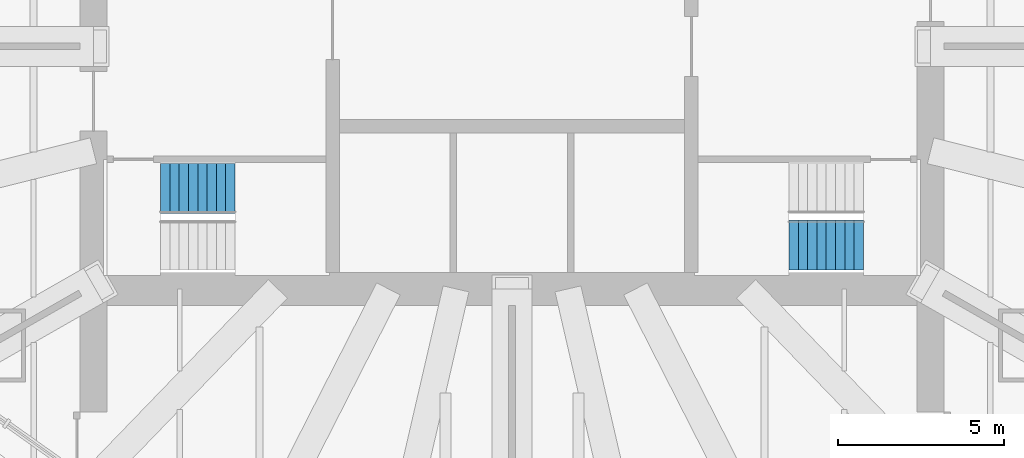
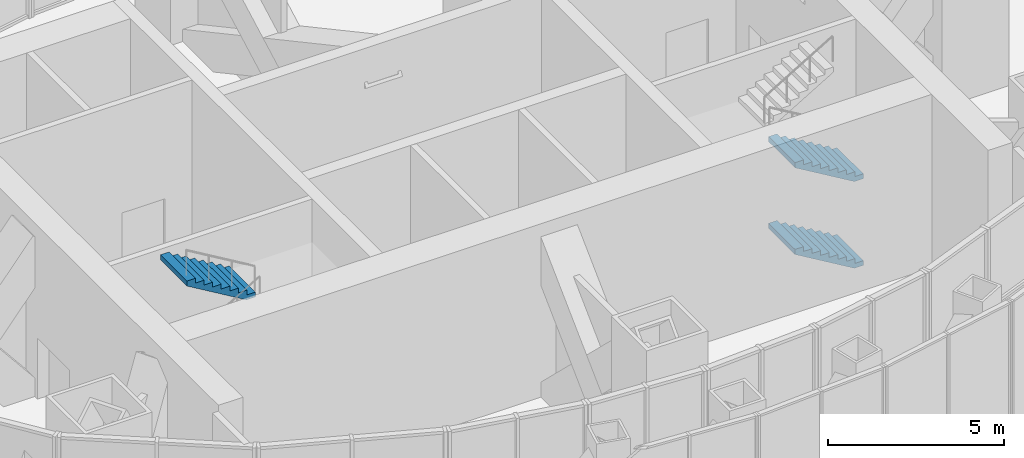
# One storey, part 19 of 21: 3 stair flights, 2 elements without a shape of their own.
"""IFC4 building model written with IfcOpenShell, lengths in metres."""

import ifcopenshell
import ifcopenshell.guid

model = None  # the IFC model being written
_history = None  # IfcOwnerHistory: only IFC2X3 demands one
_inside = {}  # id of a spatial element -> (the spatial element, [elements in it])
_under = {}  # id of a project, library or spatial element -> (it, [spatial elements below it])
_declared = {}  # id of a project -> (the project, [libraries it declares])
_typed = {}  # id of a type object -> (the type object, [elements of that type])
_made_of = {}  # id of a material, layer set ... -> (it, [elements and type objects made of it])


def new_model(schema):
    """Start an empty IFC model of exactly this schema.

    Asked for "IFC4X3", IfcOpenShell would pick the latest addendum, in which some entities
    have other attributes; the version numbers below select the first issue.
    IFC2X3 requires an IfcOwnerHistory on every rooted entity: one is made here for all.
    """
    global model, _history
    if schema == "IFC4X3":
        model = ifcopenshell.file(schema_version=(4, 3, 0, 0))
    else:
        model = ifcopenshell.file(schema=schema)
    _inside.clear()
    _under.clear()
    _declared.clear()
    _typed.clear()
    _made_of.clear()
    _history = None
    if model.schema == "IFC2X3":
        org = make("IfcOrganization", Name="unknown")
        user = make(
            "IfcPersonAndOrganization",
            ThePerson=make("IfcPerson", FamilyName="unknown"),
            TheOrganization=org,
        )
        app = make(
            "IfcApplication",
            ApplicationDeveloper=org,
            Version="unknown",
            ApplicationFullName="unknown",
            ApplicationIdentifier="unknown",
        )
        _history = make(
            "IfcOwnerHistory",
            OwningUser=user,
            OwningApplication=app,
            ChangeAction="ADDED",
            CreationDate=0,
        )
    return model


def make(cls, **values):
    """One entity of the class cls with the attributes given. An attribute that is None is left unset."""
    return model.create_entity(
        cls, **{name: value for name, value in values.items() if value is not None}
    )


def rooted(cls, **values):
    """An entity with a GlobalId (a new one), such as an element, a storey or a relation."""
    return make(cls, GlobalId=ifcopenshell.guid.new(), OwnerHistory=_history, **values)


def si_unit(unit_type, name, prefix=None):
    """IfcSIUnit, for example si_unit("LENGTHUNIT", "METRE", prefix="MILLI")."""
    return make("IfcSIUnit", UnitType=unit_type, Prefix=prefix, Name=name)


def assignment(units):
    """IfcUnitAssignment: the units of a project."""
    return None if units is None else make("IfcUnitAssignment", Units=units)


def point(xyz):
    """IfcCartesianPoint."""
    return None if xyz is None else make("IfcCartesianPoint", Coordinates=xyz)


def direction(xyz):
    """IfcDirection."""
    return None if xyz is None else make("IfcDirection", DirectionRatios=xyz)


def frame(location, z_axis=None, x_axis=None):
    """IfcAxis2Placement3D, a coordinate frame: its origin and axes. An axis left out is left unset."""
    return make(
        "IfcAxis2Placement3D",
        Location=point(location),
        Axis=direction(z_axis),
        RefDirection=direction(x_axis),
    )


def origin():
    """The frame at (0, 0, 0) with its axes left unset."""
    return frame((0.0, 0.0, 0.0))


def place(relative_to, where):
    """IfcLocalPlacement: puts the frame where relative to a parent placement (None: the world)."""
    return make(
        "IfcLocalPlacement", PlacementRelTo=relative_to, RelativePlacement=where
    )


def context(
    kind, dimensions, precision=None, world=None, true_north=None, identifier=None
):
    """IfcGeometricRepresentationContext, for example the 3D "Model" context."""
    return make(
        "IfcGeometricRepresentationContext",
        ContextIdentifier=identifier,
        ContextType=kind,
        CoordinateSpaceDimension=dimensions,
        Precision=precision,
        WorldCoordinateSystem=world,
        TrueNorth=true_north,
    )


def subcontext(parent, identifier, kind, view, scale=None):
    """IfcGeometricRepresentationSubContext, for example "Body" below "Model"."""
    return make(
        "IfcGeometricRepresentationSubContext",
        ContextIdentifier=identifier,
        ContextType=kind,
        ParentContext=parent,
        TargetScale=scale,
        TargetView=view,
    )


def project(units=None, contexts=None):
    """IfcProject with its units and contexts."""
    return rooted(
        "IfcProject",
        Name="project",
        RepresentationContexts=contexts,
        UnitsInContext=assignment(units),
    )


def spatial(cls, under=None, at=None, **own):
    """A site, building, storey or space (cls), placed at a placement, below another one or the project."""
    s = rooted(cls, ObjectPlacement=at, **own)
    if under is not None:
        _under.setdefault(under.id(), (under, []))[1].append(s)
    return s


def point_list(points):
    """IfcCartesianPointList2D or 3D."""
    cls = (
        "IfcCartesianPointList2D" if len(points[0]) == 2 else "IfcCartesianPointList3D"
    )
    return make(cls, CoordList=points)


def triangles(points, corners, closed=None, point_numbers=None):
    """IfcTriangulatedFaceSet: each triangle names its three corners, points numbered from 1."""
    return make(
        "IfcTriangulatedFaceSet",
        Coordinates=point_list(points),
        Closed=closed,
        CoordIndex=corners,
        PnIndex=point_numbers,
    )


def shape(context_of_items, identifier, shape_type, items):
    """IfcShapeRepresentation: the items that make up one representation, for example the "Body"."""
    return make(
        "IfcShapeRepresentation",
        ContextOfItems=context_of_items,
        RepresentationIdentifier=identifier,
        RepresentationType=shape_type,
        Items=items,
    )


def material(Name=None, Category=None):
    """IfcMaterial."""
    return make("IfcMaterial", Name=Name, Category=Category)


def made_of(thing, what):
    """Note that an element or type object is made of a material, layer set ...; save() writes the relation."""
    if what is not None:
        _made_of.setdefault(what.id(), (what, []))[1].append(thing)
    return thing


def type_object(cls, material=None, **own):
    """A type object (cls), such as IfcWallType, which elements share."""
    return made_of(rooted(cls, **own), material)


def element(
    cls,
    number,
    at=None,
    inside=None,
    cuts=None,
    type_object=None,
    material=None,
    context=None,
    identifier="Body",
    shape_type=None,
    held_by="IfcProductDefinitionShape",
    body=None,
    shapes=None,
    **own,
):
    """One element of the class cls, such as IfcWall. Its Tag is "e" and its number.

    at: its placement. inside: the storey or other place that contains it. cuts: it is an
    opening in that element (IfcRelVoidsElement). A single representation is given by context,
    identifier, shape_type and body (its items); several are given by shapes. held_by: the class
    of the entity that holds the representations. save() writes the other relations.
    """
    e = rooted(cls, Tag="e%d" % number, ObjectPlacement=at, **own)
    if body is not None:
        shapes = [shape(context, identifier, shape_type, body)]
    if shapes is not None:
        e.Representation = make(held_by, Representations=shapes)
    if inside is not None:
        _inside.setdefault(inside.id(), (inside, []))[1].append(e)
    if cuts is not None:
        rooted(
            "IfcRelVoidsElement", RelatingBuildingElement=cuts, RelatedOpeningElement=e
        )
    if type_object is not None:
        _typed.setdefault(type_object.id(), (type_object, []))[1].append(e)
    return made_of(e, material)


def aggregate(whole, parts):
    """IfcRelAggregates: a whole, such as a stair, and the parts it consists of."""
    return rooted("IfcRelAggregates", RelatingObject=whole, RelatedObjects=parts)


def save(model, path):
    """Write the relations noted so far, then the file.

    IfcRelAggregates (storeys below a building ...), IfcRelContainedInSpatialStructure (elements
    in a storey), IfcRelDefinesByType, IfcRelAssociatesMaterial and IfcRelDeclares: one each for
    every whole, place, type object, material and project.
    """
    for whole, parts in _under.values():
        aggregate(whole, parts)
    for where, things in _inside.values():
        rooted(
            "IfcRelContainedInSpatialStructure",
            RelatedElements=things,
            RelatingStructure=where,
        )
    for kind, things in _typed.values():
        rooted("IfcRelDefinesByType", RelatedObjects=things, RelatingType=kind)
    for what, things in _made_of.values():
        rooted("IfcRelAssociatesMaterial", RelatedObjects=things, RelatingMaterial=what)
    for by, libraries in _declared.values():
        rooted("IfcRelDeclares", RelatingContext=by, RelatedDefinitions=libraries)
    model.write(path)


model = new_model("IFC4")

# Units and contexts
model_context = context("Model", 3, precision=1e-05, world=origin(), true_north=direction((0.0, 1.0)))
body_context = subcontext(model_context, "Body", "Model", "MODEL_VIEW")
ifc_project = project(units=[si_unit("LENGTHUNIT", "METRE"), si_unit("AREAUNIT", "SQUARE_METRE"), si_unit("VOLUMEUNIT", "CUBIC_METRE"), si_unit("PLANEANGLEUNIT", "RADIAN"), si_unit("MASSUNIT", "GRAM", prefix="KILO")], contexts=[model_context])

# Site, building, storey
site_placement = place(None, origin())
site = spatial("IfcSite", under=ifc_project, at=site_placement, CompositionType="ELEMENT")
building_placement = place(site_placement, origin())
building = spatial("IfcBuilding", under=site, at=building_placement, Name="Lantaw Convention Tower", CompositionType="ELEMENT")
storey_placement = place(building_placement, frame((0.0, 0.0, 284.39990234375)))
storey = spatial("IfcBuildingStorey", under=building, at=storey_placement, Name="L66", CompositionType="ELEMENT", Elevation=284.39990234375)

# Stair, stair flight
ifc_material = material(Name="Concrete C35/45", Category="concrete")
stair_type = type_object("IfcStairType", Name="Exit stair 1500 riser 166.67 in 4 flights", PredefinedType="HALF_TURN_STAIR", material=ifc_material)
stair_1_placement = place(storey_placement, origin())
stair_1 = element("IfcStair", 1, at=stair_1_placement, inside=storey, type_object=stair_type, Name="Exit stair S1 L66", PredefinedType="HALF_TURN_STAIR")
stair_flight_type = type_object("IfcStairFlightType", Name="Stair flight 1500 riser 166.67", PredefinedType="STRAIGHT", material=ifc_material)
stair_flight_1_placement = place(storey_placement, frame((-8.340087890625, -4.280029296875, 4.5), z_axis=(0.0, 0.0, 1.0), x_axis=(-1.0, 0.0, 0.0)))
stair_flight_1 = element("IfcStairFlight", 2, at=stair_flight_1_placement, type_object=stair_flight_type, Name="S1 flight 4", NumberOfRisers=9, NumberOfTreads=8, PredefinedType="STRAIGHT", RiserHeight=0.166666667, TreadLength=0.28, context=body_context, shape_type="Tessellation", body=[
    triangles([(0.0, 0.75, 0.0), (0.0, 0.75, 0.166666667), (0.28, 0.75, 0.0), (0.28, 0.75, 0.166666667), (0.28, 0.75, 0.333333334), (0.2930734580690677, 0.75, 0.0), (0.2930734580690677, 0.75, 0.333333334), (0.56, 0.75, 0.1588848467052294), (0.56, 0.75, 0.333333334), (0.56, 0.75, 0.500000001), (0.8400000000000001, 0.75, 0.32555151370522933), (0.8400000000000001, 0.75, 0.500000001), (0.8400000000000001, 0.75, 0.666666668), (1.12, 0.75, 0.4922181807052293), (1.12, 0.75, 0.666666668), (1.12, 0.75, 0.833333335), (1.4000000000000001, 0.75, 0.6588848477052293), (1.4000000000000001, 0.75, 0.833333335), (1.4000000000000001, 0.75, 1.000000002), (1.6800000000000002, 0.75, 0.8255515147052293), (1.6800000000000002, 0.75, 1.000000002), (1.6800000000000002, 0.75, 1.166666669), (1.9600000000000002, 0.75, 0.9922181817052292), (1.9600000000000002, 0.75, 1.166666669), (1.9600000000000002, 0.75, 1.333333336), (2.24, 0.75, 1.1588848487052292), (2.24, 0.75, 1.333333336), (0.0, -0.75, 0.0), (0.0, -0.75, 0.166666667), (0.28, -0.75, 0.0), (0.28, -0.75, 0.166666667), (0.28, -0.75, 0.333333334), (0.2930734580690677, -0.75, 0.0), (0.2930734580690677, -0.75, 0.333333334), (0.56, -0.75, 0.1588848467052294), (0.56, -0.75, 0.333333334), (0.56, -0.75, 0.500000001), (0.8400000000000001, -0.75, 0.32555151370522933), (0.8400000000000001, -0.75, 0.500000001), (0.8400000000000001, -0.75, 0.666666668), (1.12, -0.75, 0.4922181807052293), (1.12, -0.75, 0.666666668), (1.12, -0.75, 0.833333335), (1.4000000000000001, -0.75, 0.6588848477052293), (1.4000000000000001, -0.75, 0.833333335), (1.4000000000000001, -0.75, 1.000000002), (1.6800000000000002, -0.75, 0.8255515147052293), (1.6800000000000002, -0.75, 1.000000002), (1.6800000000000002, -0.75, 1.166666669), (1.9600000000000002, -0.75, 0.9922181817052292), (1.9600000000000002, -0.75, 1.166666669), (1.9600000000000002, -0.75, 1.333333336), (2.24, -0.75, 1.1588848487052292), (2.24, -0.75, 1.333333336), (0.0, 0.15000000000000002, 0.166666667), (0.0, 0.15000000000000002, 0.0), (0.0, 0.0, 0.166666667), (0.0, 0.0, 0.0), (0.0, -0.15000000000000002, 0.166666667), (0.0, -0.15000000000000002, 0.0), (0.28, 0.15000000000000002, 0.333333334), (0.28, 0.15000000000000002, 0.166666667), (0.28, 0.0, 0.333333334), (0.28, 0.0, 0.166666667), (0.28, -0.15000000000000002, 0.333333334), (0.28, -0.15000000000000002, 0.166666667), (0.56, 0.15000000000000002, 0.500000001), (0.56, 0.15000000000000002, 0.333333334), (0.56, 0.0, 0.500000001), (0.56, 0.0, 0.333333334), (0.56, -0.15000000000000002, 0.500000001), (0.56, -0.15000000000000002, 0.333333334), (0.8400000000000001, 0.15000000000000002, 0.666666668), (0.8400000000000001, 0.15000000000000002, 0.500000001), (0.8400000000000001, 0.0, 0.666666668), (0.8400000000000001, 0.0, 0.500000001), (0.8400000000000001, -0.15000000000000002, 0.666666668), (0.8400000000000001, -0.15000000000000002, 0.500000001), (1.12, 0.15000000000000002, 0.833333335), (1.12, 0.15000000000000002, 0.666666668), (1.12, 0.0, 0.833333335), (1.12, 0.0, 0.666666668), (1.12, -0.15000000000000002, 0.833333335), (1.12, -0.15000000000000002, 0.666666668), (1.4000000000000001, 0.15000000000000002, 1.000000002), (1.4000000000000001, 0.15000000000000002, 0.833333335), (1.4000000000000001, 0.0, 1.000000002), (1.4000000000000001, 0.0, 0.833333335), (1.4000000000000001, -0.15000000000000002, 1.000000002), (1.4000000000000001, -0.15000000000000002, 0.833333335), (1.6800000000000002, 0.15000000000000002, 1.166666669), (1.6800000000000002, 0.15000000000000002, 1.000000002), (1.6800000000000002, 0.0, 1.166666669), (1.6800000000000002, 0.0, 1.000000002), (1.6800000000000002, -0.15000000000000002, 1.166666669), (1.6800000000000002, -0.15000000000000002, 1.000000002), (1.9600000000000002, 0.15000000000000002, 1.333333336), (1.9600000000000002, 0.15000000000000002, 1.166666669), (1.9600000000000002, 0.0, 1.333333336), (1.9600000000000002, 0.0, 1.166666669), (1.9600000000000002, -0.15000000000000002, 1.333333336), (1.9600000000000002, -0.15000000000000002, 1.166666669), (0.2930734580690677, 0.15000000000000002, 0.333333334), (0.2930734580690677, 0.0, 0.333333334), (0.2930734580690677, -0.15000000000000002, 0.333333334), (2.24, 0.15000000000000002, 1.333333336), (2.24, 0.0, 1.333333336), (2.24, -0.15000000000000002, 1.333333336), (2.24, 0.15000000000000002, 1.1588848487052292), (2.24, 0.0, 1.1588848487052292), (2.24, -0.15000000000000002, 1.1588848487052292), (1.9600000000000002, 0.15000000000000002, 0.9922181817052292), (1.9600000000000002, 0.0, 0.9922181817052292), (1.9600000000000002, -0.15000000000000002, 0.9922181817052292), (1.6800000000000002, 0.15000000000000002, 0.8255515147052293), (1.6800000000000002, 0.0, 0.8255515147052293), (1.6800000000000002, -0.15000000000000002, 0.8255515147052293), (1.4000000000000001, 0.15000000000000002, 0.6588848477052293), (1.4000000000000001, 0.0, 0.6588848477052293), (1.4000000000000001, -0.15000000000000002, 0.6588848477052293), (1.12, 0.15000000000000002, 0.4922181807052293), (1.12, 0.0, 0.4922181807052293), (1.12, -0.15000000000000002, 0.4922181807052293), (0.8400000000000001, 0.15000000000000002, 0.32555151370522933), (0.8400000000000001, 0.0, 0.32555151370522933), (0.8400000000000001, -0.15000000000000002, 0.32555151370522933), (0.56, 0.15000000000000002, 0.1588848467052294), (0.56, 0.0, 0.1588848467052294), (0.56, -0.15000000000000002, 0.1588848467052294), (0.2930734580690677, 0.15000000000000002, 0.0), (0.2930734580690677, 0.0, 0.0), (0.2930734580690677, -0.15000000000000002, 0.0), (0.28, 0.15000000000000002, 0.0), (0.28, 0.0, 0.0), (0.28, -0.15000000000000002, 0.0)], [[1, 4, 3], [1, 2, 4], [3, 4, 6], [4, 7, 6], [4, 5, 7], [6, 9, 8], [6, 7, 9], [8, 9, 11], [9, 12, 11], [9, 10, 12], [11, 12, 14], [12, 15, 14], [12, 13, 15], [14, 15, 17], [15, 18, 17], [15, 16, 18], [17, 18, 20], [18, 21, 20], [18, 19, 21], [20, 21, 23], [21, 24, 23], [21, 22, 24], [23, 24, 26], [24, 27, 26], [24, 25, 27], [28, 30, 31], [28, 31, 29], [30, 33, 31], [31, 33, 34], [31, 34, 32], [33, 35, 36], [33, 36, 34], [35, 38, 36], [36, 38, 39], [36, 39, 37], [38, 41, 39], [39, 41, 42], [39, 42, 40], [41, 44, 42], [42, 44, 45], [42, 45, 43], [44, 47, 45], [45, 47, 48], [45, 48, 46], [47, 50, 48], [48, 50, 51], [48, 51, 49], [50, 53, 51], [51, 53, 54], [51, 54, 52], [1, 55, 2], [1, 56, 55], [56, 57, 55], [56, 58, 57], [58, 59, 57], [58, 60, 59], [60, 29, 59], [60, 28, 29], [4, 61, 5], [4, 62, 61], [62, 63, 61], [62, 64, 63], [64, 65, 63], [64, 66, 65], [66, 32, 65], [66, 31, 32], [9, 67, 10], [9, 68, 67], [68, 69, 67], [68, 70, 69], [70, 71, 69], [70, 72, 71], [72, 37, 71], [72, 36, 37], [12, 73, 13], [12, 74, 73], [74, 75, 73], [74, 76, 75], [76, 77, 75], [76, 78, 77], [78, 40, 77], [78, 39, 40], [15, 79, 16], [15, 80, 79], [80, 81, 79], [80, 82, 81], [82, 83, 81], [82, 84, 83], [84, 43, 83], [84, 42, 43], [18, 85, 19], [18, 86, 85], [86, 87, 85], [86, 88, 87], [88, 89, 87], [88, 90, 89], [90, 46, 89], [90, 45, 46], [21, 91, 22], [21, 92, 91], [92, 93, 91], [92, 94, 93], [94, 95, 93], [94, 96, 95], [96, 49, 95], [96, 48, 49], [24, 97, 25], [24, 98, 97], [98, 99, 97], [98, 100, 99], [100, 101, 99], [100, 102, 101], [102, 52, 101], [102, 51, 52], [2, 62, 4], [2, 55, 62], [55, 64, 62], [55, 57, 64], [57, 66, 64], [57, 59, 66], [59, 31, 66], [59, 29, 31], [5, 103, 7], [5, 61, 103], [61, 104, 103], [61, 63, 104], [63, 105, 104], [63, 65, 105], [65, 34, 105], [65, 32, 34], [7, 68, 9], [7, 103, 68], [103, 70, 68], [103, 104, 70], [104, 72, 70], [104, 105, 72], [105, 36, 72], [105, 34, 36], [10, 74, 12], [10, 67, 74], [67, 76, 74], [67, 69, 76], [69, 78, 76], [69, 71, 78], [71, 39, 78], [71, 37, 39], [13, 80, 15], [13, 73, 80], [73, 82, 80], [73, 75, 82], [75, 84, 82], [75, 77, 84], [77, 42, 84], [77, 40, 42], [16, 86, 18], [16, 79, 86], [79, 88, 86], [79, 81, 88], [81, 90, 88], [81, 83, 90], [83, 45, 90], [83, 43, 45], [19, 92, 21], [19, 85, 92], [85, 94, 92], [85, 87, 94], [87, 96, 94], [87, 89, 96], [89, 48, 96], [89, 46, 48], [22, 98, 24], [22, 91, 98], [91, 100, 98], [91, 93, 100], [93, 102, 100], [93, 95, 102], [95, 51, 102], [95, 49, 51], [25, 106, 27], [25, 97, 106], [97, 107, 106], [97, 99, 107], [99, 108, 107], [99, 101, 108], [101, 54, 108], [101, 52, 54], [27, 109, 26], [27, 106, 109], [106, 110, 109], [106, 107, 110], [107, 111, 110], [107, 108, 111], [108, 53, 111], [108, 54, 53], [26, 112, 23], [26, 109, 112], [109, 113, 112], [109, 110, 113], [110, 114, 113], [110, 111, 114], [111, 50, 114], [111, 53, 50], [23, 115, 20], [23, 112, 115], [112, 116, 115], [112, 113, 116], [113, 117, 116], [113, 114, 117], [114, 47, 117], [114, 50, 47], [20, 118, 17], [20, 115, 118], [115, 119, 118], [115, 116, 119], [116, 120, 119], [116, 117, 120], [117, 44, 120], [117, 47, 44], [17, 121, 14], [17, 118, 121], [118, 122, 121], [118, 119, 122], [119, 123, 122], [119, 120, 123], [120, 41, 123], [120, 44, 41], [14, 124, 11], [14, 121, 124], [121, 125, 124], [121, 122, 125], [122, 126, 125], [122, 123, 126], [123, 38, 126], [123, 41, 38], [11, 127, 8], [11, 124, 127], [124, 128, 127], [124, 125, 128], [125, 129, 128], [125, 126, 129], [126, 35, 129], [126, 38, 35], [8, 130, 6], [8, 127, 130], [127, 131, 130], [127, 128, 131], [128, 132, 131], [128, 129, 132], [129, 33, 132], [129, 35, 33], [6, 133, 3], [6, 130, 133], [130, 134, 133], [130, 131, 134], [131, 135, 134], [131, 132, 135], [132, 30, 135], [132, 33, 30], [3, 56, 1], [3, 133, 56], [133, 58, 56], [133, 134, 58], [134, 60, 58], [134, 135, 60], [135, 28, 60], [135, 30, 28]], closed=True),
])
aggregate(stair_1, [stair_flight_1])

# Stair, stair flights
stair_2_placement = place(storey_placement, origin())
stair_2 = element("IfcStair", 3, at=stair_2_placement, inside=storey, type_object=stair_type, Name="Exit stair S2 L66", PredefinedType="HALF_TURN_STAIR")
stair_flight_2_placement = place(storey_placement, frame((10.580078125, -5.97998046875, 0.0), z_axis=(0.0, 0.0, 1.0), x_axis=(-1.0, 0.0, 0.0)))
stair_flight_2 = element("IfcStairFlight", 4, at=stair_flight_2_placement, type_object=stair_flight_type, Name="S2 flight 1", NumberOfRisers=9, NumberOfTreads=8, PredefinedType="STRAIGHT", RiserHeight=0.166666667, TreadLength=0.28, context=body_context, shape_type="Tessellation", body=[
    triangles([(0.0, 0.75, 0.0), (0.0, 0.75, 0.166666667), (0.28, 0.75, 0.0), (0.28, 0.75, 0.166666667), (0.28, 0.75, 0.333333334), (0.2930734580690677, 0.75, 0.0), (0.2930734580690677, 0.75, 0.333333334), (0.56, 0.75, 0.1588848467052294), (0.56, 0.75, 0.333333334), (0.56, 0.75, 0.500000001), (0.8400000000000001, 0.75, 0.32555151370522933), (0.8400000000000001, 0.75, 0.500000001), (0.8400000000000001, 0.75, 0.666666668), (1.12, 0.75, 0.4922181807052293), (1.12, 0.75, 0.666666668), (1.12, 0.75, 0.833333335), (1.4000000000000001, 0.75, 0.6588848477052293), (1.4000000000000001, 0.75, 0.833333335), (1.4000000000000001, 0.75, 1.000000002), (1.6800000000000002, 0.75, 0.8255515147052293), (1.6800000000000002, 0.75, 1.000000002), (1.6800000000000002, 0.75, 1.166666669), (1.9600000000000002, 0.75, 0.9922181817052292), (1.9600000000000002, 0.75, 1.166666669), (1.9600000000000002, 0.75, 1.333333336), (2.24, 0.75, 1.1588848487052292), (2.24, 0.75, 1.333333336), (0.0, -0.75, 0.0), (0.0, -0.75, 0.166666667), (0.28, -0.75, 0.0), (0.28, -0.75, 0.166666667), (0.28, -0.75, 0.333333334), (0.2930734580690677, -0.75, 0.0), (0.2930734580690677, -0.75, 0.333333334), (0.56, -0.75, 0.1588848467052294), (0.56, -0.75, 0.333333334), (0.56, -0.75, 0.500000001), (0.8400000000000001, -0.75, 0.32555151370522933), (0.8400000000000001, -0.75, 0.500000001), (0.8400000000000001, -0.75, 0.666666668), (1.12, -0.75, 0.4922181807052293), (1.12, -0.75, 0.666666668), (1.12, -0.75, 0.833333335), (1.4000000000000001, -0.75, 0.6588848477052293), (1.4000000000000001, -0.75, 0.833333335), (1.4000000000000001, -0.75, 1.000000002), (1.6800000000000002, -0.75, 0.8255515147052293), (1.6800000000000002, -0.75, 1.000000002), (1.6800000000000002, -0.75, 1.166666669), (1.9600000000000002, -0.75, 0.9922181817052292), (1.9600000000000002, -0.75, 1.166666669), (1.9600000000000002, -0.75, 1.333333336), (2.24, -0.75, 1.1588848487052292), (2.24, -0.75, 1.333333336), (0.0, 0.15000000000000002, 0.166666667), (0.0, 0.15000000000000002, 0.0), (0.0, 0.0, 0.166666667), (0.0, 0.0, 0.0), (0.0, -0.15000000000000002, 0.166666667), (0.0, -0.15000000000000002, 0.0), (0.28, 0.15000000000000002, 0.333333334), (0.28, 0.15000000000000002, 0.166666667), (0.28, 0.0, 0.333333334), (0.28, 0.0, 0.166666667), (0.28, -0.15000000000000002, 0.333333334), (0.28, -0.15000000000000002, 0.166666667), (0.56, 0.15000000000000002, 0.500000001), (0.56, 0.15000000000000002, 0.333333334), (0.56, 0.0, 0.500000001), (0.56, 0.0, 0.333333334), (0.56, -0.15000000000000002, 0.500000001), (0.56, -0.15000000000000002, 0.333333334), (0.8400000000000001, 0.15000000000000002, 0.666666668), (0.8400000000000001, 0.15000000000000002, 0.500000001), (0.8400000000000001, 0.0, 0.666666668), (0.8400000000000001, 0.0, 0.500000001), (0.8400000000000001, -0.15000000000000002, 0.666666668), (0.8400000000000001, -0.15000000000000002, 0.500000001), (1.12, 0.15000000000000002, 0.833333335), (1.12, 0.15000000000000002, 0.666666668), (1.12, 0.0, 0.833333335), (1.12, 0.0, 0.666666668), (1.12, -0.15000000000000002, 0.833333335), (1.12, -0.15000000000000002, 0.666666668), (1.4000000000000001, 0.15000000000000002, 1.000000002), (1.4000000000000001, 0.15000000000000002, 0.833333335), (1.4000000000000001, 0.0, 1.000000002), (1.4000000000000001, 0.0, 0.833333335), (1.4000000000000001, -0.15000000000000002, 1.000000002), (1.4000000000000001, -0.15000000000000002, 0.833333335), (1.6800000000000002, 0.15000000000000002, 1.166666669), (1.6800000000000002, 0.15000000000000002, 1.000000002), (1.6800000000000002, 0.0, 1.166666669), (1.6800000000000002, 0.0, 1.000000002), (1.6800000000000002, -0.15000000000000002, 1.166666669), (1.6800000000000002, -0.15000000000000002, 1.000000002), (1.9600000000000002, 0.15000000000000002, 1.333333336), (1.9600000000000002, 0.15000000000000002, 1.166666669), (1.9600000000000002, 0.0, 1.333333336), (1.9600000000000002, 0.0, 1.166666669), (1.9600000000000002, -0.15000000000000002, 1.333333336), (1.9600000000000002, -0.15000000000000002, 1.166666669), (0.2930734580690677, 0.15000000000000002, 0.333333334), (0.2930734580690677, 0.0, 0.333333334), (0.2930734580690677, -0.15000000000000002, 0.333333334), (2.24, 0.15000000000000002, 1.333333336), (2.24, 0.0, 1.333333336), (2.24, -0.15000000000000002, 1.333333336), (2.24, 0.15000000000000002, 1.1588848487052292), (2.24, 0.0, 1.1588848487052292), (2.24, -0.15000000000000002, 1.1588848487052292), (1.9600000000000002, 0.15000000000000002, 0.9922181817052292), (1.9600000000000002, 0.0, 0.9922181817052292), (1.9600000000000002, -0.15000000000000002, 0.9922181817052292), (1.6800000000000002, 0.15000000000000002, 0.8255515147052293), (1.6800000000000002, 0.0, 0.8255515147052293), (1.6800000000000002, -0.15000000000000002, 0.8255515147052293), (1.4000000000000001, 0.15000000000000002, 0.6588848477052293), (1.4000000000000001, 0.0, 0.6588848477052293), (1.4000000000000001, -0.15000000000000002, 0.6588848477052293), (1.12, 0.15000000000000002, 0.4922181807052293), (1.12, 0.0, 0.4922181807052293), (1.12, -0.15000000000000002, 0.4922181807052293), (0.8400000000000001, 0.15000000000000002, 0.32555151370522933), (0.8400000000000001, 0.0, 0.32555151370522933), (0.8400000000000001, -0.15000000000000002, 0.32555151370522933), (0.56, 0.15000000000000002, 0.1588848467052294), (0.56, 0.0, 0.1588848467052294), (0.56, -0.15000000000000002, 0.1588848467052294), (0.2930734580690677, 0.15000000000000002, 0.0), (0.2930734580690677, 0.0, 0.0), (0.2930734580690677, -0.15000000000000002, 0.0), (0.28, 0.15000000000000002, 0.0), (0.28, 0.0, 0.0), (0.28, -0.15000000000000002, 0.0)], [[1, 4, 3], [1, 2, 4], [3, 4, 6], [4, 7, 6], [4, 5, 7], [6, 9, 8], [6, 7, 9], [8, 9, 11], [9, 12, 11], [9, 10, 12], [11, 12, 14], [12, 15, 14], [12, 13, 15], [14, 15, 17], [15, 18, 17], [15, 16, 18], [17, 18, 20], [18, 21, 20], [18, 19, 21], [20, 21, 23], [21, 24, 23], [21, 22, 24], [23, 24, 26], [24, 27, 26], [24, 25, 27], [28, 30, 31], [28, 31, 29], [30, 33, 31], [31, 33, 34], [31, 34, 32], [33, 35, 36], [33, 36, 34], [35, 38, 36], [36, 38, 39], [36, 39, 37], [38, 41, 39], [39, 41, 42], [39, 42, 40], [41, 44, 42], [42, 44, 45], [42, 45, 43], [44, 47, 45], [45, 47, 48], [45, 48, 46], [47, 50, 48], [48, 50, 51], [48, 51, 49], [50, 53, 51], [51, 53, 54], [51, 54, 52], [1, 55, 2], [1, 56, 55], [56, 57, 55], [56, 58, 57], [58, 59, 57], [58, 60, 59], [60, 29, 59], [60, 28, 29], [4, 61, 5], [4, 62, 61], [62, 63, 61], [62, 64, 63], [64, 65, 63], [64, 66, 65], [66, 32, 65], [66, 31, 32], [9, 67, 10], [9, 68, 67], [68, 69, 67], [68, 70, 69], [70, 71, 69], [70, 72, 71], [72, 37, 71], [72, 36, 37], [12, 73, 13], [12, 74, 73], [74, 75, 73], [74, 76, 75], [76, 77, 75], [76, 78, 77], [78, 40, 77], [78, 39, 40], [15, 79, 16], [15, 80, 79], [80, 81, 79], [80, 82, 81], [82, 83, 81], [82, 84, 83], [84, 43, 83], [84, 42, 43], [18, 85, 19], [18, 86, 85], [86, 87, 85], [86, 88, 87], [88, 89, 87], [88, 90, 89], [90, 46, 89], [90, 45, 46], [21, 91, 22], [21, 92, 91], [92, 93, 91], [92, 94, 93], [94, 95, 93], [94, 96, 95], [96, 49, 95], [96, 48, 49], [24, 97, 25], [24, 98, 97], [98, 99, 97], [98, 100, 99], [100, 101, 99], [100, 102, 101], [102, 52, 101], [102, 51, 52], [2, 62, 4], [2, 55, 62], [55, 64, 62], [55, 57, 64], [57, 66, 64], [57, 59, 66], [59, 31, 66], [59, 29, 31], [5, 103, 7], [5, 61, 103], [61, 104, 103], [61, 63, 104], [63, 105, 104], [63, 65, 105], [65, 34, 105], [65, 32, 34], [7, 68, 9], [7, 103, 68], [103, 70, 68], [103, 104, 70], [104, 72, 70], [104, 105, 72], [105, 36, 72], [105, 34, 36], [10, 74, 12], [10, 67, 74], [67, 76, 74], [67, 69, 76], [69, 78, 76], [69, 71, 78], [71, 39, 78], [71, 37, 39], [13, 80, 15], [13, 73, 80], [73, 82, 80], [73, 75, 82], [75, 84, 82], [75, 77, 84], [77, 42, 84], [77, 40, 42], [16, 86, 18], [16, 79, 86], [79, 88, 86], [79, 81, 88], [81, 90, 88], [81, 83, 90], [83, 45, 90], [83, 43, 45], [19, 92, 21], [19, 85, 92], [85, 94, 92], [85, 87, 94], [87, 96, 94], [87, 89, 96], [89, 48, 96], [89, 46, 48], [22, 98, 24], [22, 91, 98], [91, 100, 98], [91, 93, 100], [93, 102, 100], [93, 95, 102], [95, 51, 102], [95, 49, 51], [25, 106, 27], [25, 97, 106], [97, 107, 106], [97, 99, 107], [99, 108, 107], [99, 101, 108], [101, 54, 108], [101, 52, 54], [27, 109, 26], [27, 106, 109], [106, 110, 109], [106, 107, 110], [107, 111, 110], [107, 108, 111], [108, 53, 111], [108, 54, 53], [26, 112, 23], [26, 109, 112], [109, 113, 112], [109, 110, 113], [110, 114, 113], [110, 111, 114], [111, 50, 114], [111, 53, 50], [23, 115, 20], [23, 112, 115], [112, 116, 115], [112, 113, 116], [113, 117, 116], [113, 114, 117], [114, 47, 117], [114, 50, 47], [20, 118, 17], [20, 115, 118], [115, 119, 118], [115, 116, 119], [116, 120, 119], [116, 117, 120], [117, 44, 120], [117, 47, 44], [17, 121, 14], [17, 118, 121], [118, 122, 121], [118, 119, 122], [119, 123, 122], [119, 120, 123], [120, 41, 123], [120, 44, 41], [14, 124, 11], [14, 121, 124], [121, 125, 124], [121, 122, 125], [122, 126, 125], [122, 123, 126], [123, 38, 126], [123, 41, 38], [11, 127, 8], [11, 124, 127], [124, 128, 127], [124, 125, 128], [125, 129, 128], [125, 126, 129], [126, 35, 129], [126, 38, 35], [8, 130, 6], [8, 127, 130], [127, 131, 130], [127, 128, 131], [128, 132, 131], [128, 129, 132], [129, 33, 132], [129, 35, 33], [6, 133, 3], [6, 130, 133], [130, 134, 133], [130, 131, 134], [131, 135, 134], [131, 132, 135], [132, 30, 135], [132, 33, 30], [3, 56, 1], [3, 133, 56], [133, 58, 56], [133, 134, 58], [134, 60, 58], [134, 135, 60], [135, 28, 60], [135, 30, 28]], closed=True),
])
stair_flight_3_placement = place(storey_placement, frame((10.580078125, -5.97998046875, 3.0), z_axis=(0.0, 0.0, 1.0), x_axis=(-1.0, 0.0, 0.0)))
stair_flight_3 = element("IfcStairFlight", 5, at=stair_flight_3_placement, type_object=stair_flight_type, Name="S2 flight 3", NumberOfRisers=9, NumberOfTreads=8, PredefinedType="STRAIGHT", RiserHeight=0.166666667, TreadLength=0.28, context=body_context, shape_type="Tessellation", body=[
    triangles([(0.0, 0.75, 0.0), (0.0, 0.75, 0.166666667), (0.28, 0.75, 0.0), (0.28, 0.75, 0.166666667), (0.28, 0.75, 0.333333334), (0.2930734580690677, 0.75, 0.0), (0.2930734580690677, 0.75, 0.333333334), (0.56, 0.75, 0.1588848467052294), (0.56, 0.75, 0.333333334), (0.56, 0.75, 0.500000001), (0.8400000000000001, 0.75, 0.32555151370522933), (0.8400000000000001, 0.75, 0.500000001), (0.8400000000000001, 0.75, 0.666666668), (1.12, 0.75, 0.4922181807052293), (1.12, 0.75, 0.666666668), (1.12, 0.75, 0.833333335), (1.4000000000000001, 0.75, 0.6588848477052293), (1.4000000000000001, 0.75, 0.833333335), (1.4000000000000001, 0.75, 1.000000002), (1.6800000000000002, 0.75, 0.8255515147052293), (1.6800000000000002, 0.75, 1.000000002), (1.6800000000000002, 0.75, 1.166666669), (1.9600000000000002, 0.75, 0.9922181817052292), (1.9600000000000002, 0.75, 1.166666669), (1.9600000000000002, 0.75, 1.333333336), (2.24, 0.75, 1.1588848487052292), (2.24, 0.75, 1.333333336), (0.0, -0.75, 0.0), (0.0, -0.75, 0.166666667), (0.28, -0.75, 0.0), (0.28, -0.75, 0.166666667), (0.28, -0.75, 0.333333334), (0.2930734580690677, -0.75, 0.0), (0.2930734580690677, -0.75, 0.333333334), (0.56, -0.75, 0.1588848467052294), (0.56, -0.75, 0.333333334), (0.56, -0.75, 0.500000001), (0.8400000000000001, -0.75, 0.32555151370522933), (0.8400000000000001, -0.75, 0.500000001), (0.8400000000000001, -0.75, 0.666666668), (1.12, -0.75, 0.4922181807052293), (1.12, -0.75, 0.666666668), (1.12, -0.75, 0.833333335), (1.4000000000000001, -0.75, 0.6588848477052293), (1.4000000000000001, -0.75, 0.833333335), (1.4000000000000001, -0.75, 1.000000002), (1.6800000000000002, -0.75, 0.8255515147052293), (1.6800000000000002, -0.75, 1.000000002), (1.6800000000000002, -0.75, 1.166666669), (1.9600000000000002, -0.75, 0.9922181817052292), (1.9600000000000002, -0.75, 1.166666669), (1.9600000000000002, -0.75, 1.333333336), (2.24, -0.75, 1.1588848487052292), (2.24, -0.75, 1.333333336), (0.0, 0.15000000000000002, 0.166666667), (0.0, 0.15000000000000002, 0.0), (0.0, 0.0, 0.166666667), (0.0, 0.0, 0.0), (0.0, -0.15000000000000002, 0.166666667), (0.0, -0.15000000000000002, 0.0), (0.28, 0.15000000000000002, 0.333333334), (0.28, 0.15000000000000002, 0.166666667), (0.28, 0.0, 0.333333334), (0.28, 0.0, 0.166666667), (0.28, -0.15000000000000002, 0.333333334), (0.28, -0.15000000000000002, 0.166666667), (0.56, 0.15000000000000002, 0.500000001), (0.56, 0.15000000000000002, 0.333333334), (0.56, 0.0, 0.500000001), (0.56, 0.0, 0.333333334), (0.56, -0.15000000000000002, 0.500000001), (0.56, -0.15000000000000002, 0.333333334), (0.8400000000000001, 0.15000000000000002, 0.666666668), (0.8400000000000001, 0.15000000000000002, 0.500000001), (0.8400000000000001, 0.0, 0.666666668), (0.8400000000000001, 0.0, 0.500000001), (0.8400000000000001, -0.15000000000000002, 0.666666668), (0.8400000000000001, -0.15000000000000002, 0.500000001), (1.12, 0.15000000000000002, 0.833333335), (1.12, 0.15000000000000002, 0.666666668), (1.12, 0.0, 0.833333335), (1.12, 0.0, 0.666666668), (1.12, -0.15000000000000002, 0.833333335), (1.12, -0.15000000000000002, 0.666666668), (1.4000000000000001, 0.15000000000000002, 1.000000002), (1.4000000000000001, 0.15000000000000002, 0.833333335), (1.4000000000000001, 0.0, 1.000000002), (1.4000000000000001, 0.0, 0.833333335), (1.4000000000000001, -0.15000000000000002, 1.000000002), (1.4000000000000001, -0.15000000000000002, 0.833333335), (1.6800000000000002, 0.15000000000000002, 1.166666669), (1.6800000000000002, 0.15000000000000002, 1.000000002), (1.6800000000000002, 0.0, 1.166666669), (1.6800000000000002, 0.0, 1.000000002), (1.6800000000000002, -0.15000000000000002, 1.166666669), (1.6800000000000002, -0.15000000000000002, 1.000000002), (1.9600000000000002, 0.15000000000000002, 1.333333336), (1.9600000000000002, 0.15000000000000002, 1.166666669), (1.9600000000000002, 0.0, 1.333333336), (1.9600000000000002, 0.0, 1.166666669), (1.9600000000000002, -0.15000000000000002, 1.333333336), (1.9600000000000002, -0.15000000000000002, 1.166666669), (0.2930734580690677, 0.15000000000000002, 0.333333334), (0.2930734580690677, 0.0, 0.333333334), (0.2930734580690677, -0.15000000000000002, 0.333333334), (2.24, 0.15000000000000002, 1.333333336), (2.24, 0.0, 1.333333336), (2.24, -0.15000000000000002, 1.333333336), (2.24, 0.15000000000000002, 1.1588848487052292), (2.24, 0.0, 1.1588848487052292), (2.24, -0.15000000000000002, 1.1588848487052292), (1.9600000000000002, 0.15000000000000002, 0.9922181817052292), (1.9600000000000002, 0.0, 0.9922181817052292), (1.9600000000000002, -0.15000000000000002, 0.9922181817052292), (1.6800000000000002, 0.15000000000000002, 0.8255515147052293), (1.6800000000000002, 0.0, 0.8255515147052293), (1.6800000000000002, -0.15000000000000002, 0.8255515147052293), (1.4000000000000001, 0.15000000000000002, 0.6588848477052293), (1.4000000000000001, 0.0, 0.6588848477052293), (1.4000000000000001, -0.15000000000000002, 0.6588848477052293), (1.12, 0.15000000000000002, 0.4922181807052293), (1.12, 0.0, 0.4922181807052293), (1.12, -0.15000000000000002, 0.4922181807052293), (0.8400000000000001, 0.15000000000000002, 0.32555151370522933), (0.8400000000000001, 0.0, 0.32555151370522933), (0.8400000000000001, -0.15000000000000002, 0.32555151370522933), (0.56, 0.15000000000000002, 0.1588848467052294), (0.56, 0.0, 0.1588848467052294), (0.56, -0.15000000000000002, 0.1588848467052294), (0.2930734580690677, 0.15000000000000002, 0.0), (0.2930734580690677, 0.0, 0.0), (0.2930734580690677, -0.15000000000000002, 0.0), (0.28, 0.15000000000000002, 0.0), (0.28, 0.0, 0.0), (0.28, -0.15000000000000002, 0.0)], [[1, 4, 3], [1, 2, 4], [3, 4, 6], [4, 7, 6], [4, 5, 7], [6, 9, 8], [6, 7, 9], [8, 9, 11], [9, 12, 11], [9, 10, 12], [11, 12, 14], [12, 15, 14], [12, 13, 15], [14, 15, 17], [15, 18, 17], [15, 16, 18], [17, 18, 20], [18, 21, 20], [18, 19, 21], [20, 21, 23], [21, 24, 23], [21, 22, 24], [23, 24, 26], [24, 27, 26], [24, 25, 27], [28, 30, 31], [28, 31, 29], [30, 33, 31], [31, 33, 34], [31, 34, 32], [33, 35, 36], [33, 36, 34], [35, 38, 36], [36, 38, 39], [36, 39, 37], [38, 41, 39], [39, 41, 42], [39, 42, 40], [41, 44, 42], [42, 44, 45], [42, 45, 43], [44, 47, 45], [45, 47, 48], [45, 48, 46], [47, 50, 48], [48, 50, 51], [48, 51, 49], [50, 53, 51], [51, 53, 54], [51, 54, 52], [1, 55, 2], [1, 56, 55], [56, 57, 55], [56, 58, 57], [58, 59, 57], [58, 60, 59], [60, 29, 59], [60, 28, 29], [4, 61, 5], [4, 62, 61], [62, 63, 61], [62, 64, 63], [64, 65, 63], [64, 66, 65], [66, 32, 65], [66, 31, 32], [9, 67, 10], [9, 68, 67], [68, 69, 67], [68, 70, 69], [70, 71, 69], [70, 72, 71], [72, 37, 71], [72, 36, 37], [12, 73, 13], [12, 74, 73], [74, 75, 73], [74, 76, 75], [76, 77, 75], [76, 78, 77], [78, 40, 77], [78, 39, 40], [15, 79, 16], [15, 80, 79], [80, 81, 79], [80, 82, 81], [82, 83, 81], [82, 84, 83], [84, 43, 83], [84, 42, 43], [18, 85, 19], [18, 86, 85], [86, 87, 85], [86, 88, 87], [88, 89, 87], [88, 90, 89], [90, 46, 89], [90, 45, 46], [21, 91, 22], [21, 92, 91], [92, 93, 91], [92, 94, 93], [94, 95, 93], [94, 96, 95], [96, 49, 95], [96, 48, 49], [24, 97, 25], [24, 98, 97], [98, 99, 97], [98, 100, 99], [100, 101, 99], [100, 102, 101], [102, 52, 101], [102, 51, 52], [2, 62, 4], [2, 55, 62], [55, 64, 62], [55, 57, 64], [57, 66, 64], [57, 59, 66], [59, 31, 66], [59, 29, 31], [5, 103, 7], [5, 61, 103], [61, 104, 103], [61, 63, 104], [63, 105, 104], [63, 65, 105], [65, 34, 105], [65, 32, 34], [7, 68, 9], [7, 103, 68], [103, 70, 68], [103, 104, 70], [104, 72, 70], [104, 105, 72], [105, 36, 72], [105, 34, 36], [10, 74, 12], [10, 67, 74], [67, 76, 74], [67, 69, 76], [69, 78, 76], [69, 71, 78], [71, 39, 78], [71, 37, 39], [13, 80, 15], [13, 73, 80], [73, 82, 80], [73, 75, 82], [75, 84, 82], [75, 77, 84], [77, 42, 84], [77, 40, 42], [16, 86, 18], [16, 79, 86], [79, 88, 86], [79, 81, 88], [81, 90, 88], [81, 83, 90], [83, 45, 90], [83, 43, 45], [19, 92, 21], [19, 85, 92], [85, 94, 92], [85, 87, 94], [87, 96, 94], [87, 89, 96], [89, 48, 96], [89, 46, 48], [22, 98, 24], [22, 91, 98], [91, 100, 98], [91, 93, 100], [93, 102, 100], [93, 95, 102], [95, 51, 102], [95, 49, 51], [25, 106, 27], [25, 97, 106], [97, 107, 106], [97, 99, 107], [99, 108, 107], [99, 101, 108], [101, 54, 108], [101, 52, 54], [27, 109, 26], [27, 106, 109], [106, 110, 109], [106, 107, 110], [107, 111, 110], [107, 108, 111], [108, 53, 111], [108, 54, 53], [26, 112, 23], [26, 109, 112], [109, 113, 112], [109, 110, 113], [110, 114, 113], [110, 111, 114], [111, 50, 114], [111, 53, 50], [23, 115, 20], [23, 112, 115], [112, 116, 115], [112, 113, 116], [113, 117, 116], [113, 114, 117], [114, 47, 117], [114, 50, 47], [20, 118, 17], [20, 115, 118], [115, 119, 118], [115, 116, 119], [116, 120, 119], [116, 117, 120], [117, 44, 120], [117, 47, 44], [17, 121, 14], [17, 118, 121], [118, 122, 121], [118, 119, 122], [119, 123, 122], [119, 120, 123], [120, 41, 123], [120, 44, 41], [14, 124, 11], [14, 121, 124], [121, 125, 124], [121, 122, 125], [122, 126, 125], [122, 123, 126], [123, 38, 126], [123, 41, 38], [11, 127, 8], [11, 124, 127], [124, 128, 127], [124, 125, 128], [125, 129, 128], [125, 126, 129], [126, 35, 129], [126, 38, 35], [8, 130, 6], [8, 127, 130], [127, 131, 130], [127, 128, 131], [128, 132, 131], [128, 129, 132], [129, 33, 132], [129, 35, 33], [6, 133, 3], [6, 130, 133], [130, 134, 133], [130, 131, 134], [131, 135, 134], [131, 132, 135], [132, 30, 135], [132, 33, 30], [3, 56, 1], [3, 133, 56], [133, 58, 56], [133, 134, 58], [134, 60, 58], [134, 135, 60], [135, 28, 60], [135, 30, 28]], closed=True),
])
aggregate(stair_2, [stair_flight_2, stair_flight_3])

save(model, "model.ifc")
